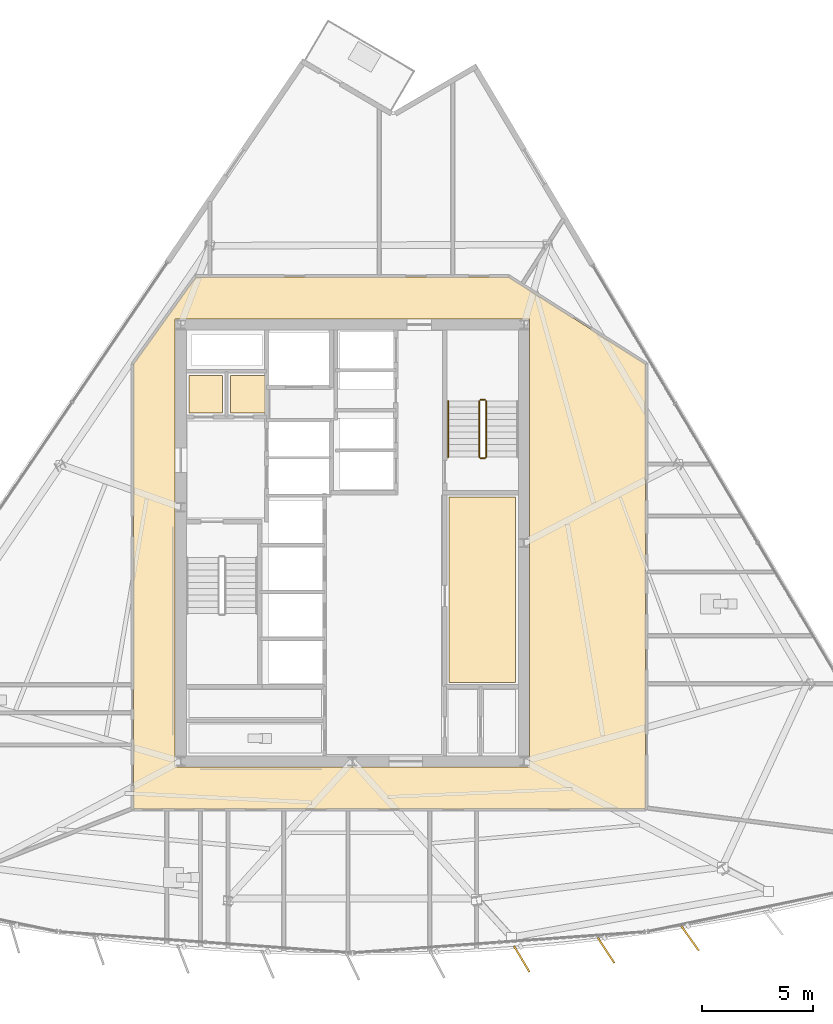
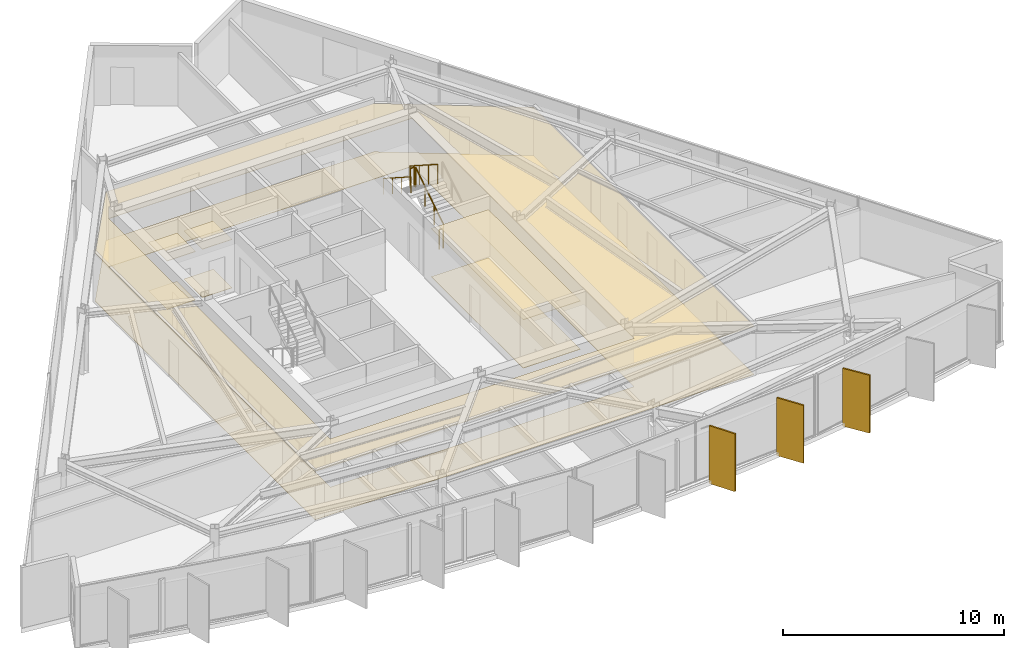
# One storey, part 13 of 15: 8 coverings, 5 railings, 3 shading devices.
"""IFC4 building model written with IfcOpenShell, lengths in metres."""

import ifcopenshell
import ifcopenshell.guid

model = None  # the IFC model being written
_history = None  # IfcOwnerHistory: only IFC2X3 demands one
_inside = {}  # id of a spatial element -> (the spatial element, [elements in it])
_under = {}  # id of a project, library or spatial element -> (it, [spatial elements below it])
_declared = {}  # id of a project -> (the project, [libraries it declares])
_typed = {}  # id of a type object -> (the type object, [elements of that type])
_made_of = {}  # id of a material, layer set ... -> (it, [elements and type objects made of it])


def new_model(schema):
    """Start an empty IFC model of exactly this schema.

    Asked for "IFC4X3", IfcOpenShell would pick the latest addendum, in which some entities
    have other attributes; the version numbers below select the first issue.
    IFC2X3 requires an IfcOwnerHistory on every rooted entity: one is made here for all.
    """
    global model, _history
    if schema == "IFC4X3":
        model = ifcopenshell.file(schema_version=(4, 3, 0, 0))
    else:
        model = ifcopenshell.file(schema=schema)
    _inside.clear()
    _under.clear()
    _declared.clear()
    _typed.clear()
    _made_of.clear()
    _history = None
    if model.schema == "IFC2X3":
        org = make("IfcOrganization", Name="unknown")
        user = make(
            "IfcPersonAndOrganization",
            ThePerson=make("IfcPerson", FamilyName="unknown"),
            TheOrganization=org,
        )
        app = make(
            "IfcApplication",
            ApplicationDeveloper=org,
            Version="unknown",
            ApplicationFullName="unknown",
            ApplicationIdentifier="unknown",
        )
        _history = make(
            "IfcOwnerHistory",
            OwningUser=user,
            OwningApplication=app,
            ChangeAction="ADDED",
            CreationDate=0,
        )
    return model


def make(cls, **values):
    """One entity of the class cls with the attributes given. An attribute that is None is left unset."""
    return model.create_entity(
        cls, **{name: value for name, value in values.items() if value is not None}
    )


def rooted(cls, **values):
    """An entity with a GlobalId (a new one), such as an element, a storey or a relation."""
    return make(cls, GlobalId=ifcopenshell.guid.new(), OwnerHistory=_history, **values)


def si_unit(unit_type, name, prefix=None):
    """IfcSIUnit, for example si_unit("LENGTHUNIT", "METRE", prefix="MILLI")."""
    return make("IfcSIUnit", UnitType=unit_type, Prefix=prefix, Name=name)


def assignment(units):
    """IfcUnitAssignment: the units of a project."""
    return None if units is None else make("IfcUnitAssignment", Units=units)


def point(xyz):
    """IfcCartesianPoint."""
    return None if xyz is None else make("IfcCartesianPoint", Coordinates=xyz)


def direction(xyz):
    """IfcDirection."""
    return None if xyz is None else make("IfcDirection", DirectionRatios=xyz)


def frame(location, z_axis=None, x_axis=None):
    """IfcAxis2Placement3D, a coordinate frame: its origin and axes. An axis left out is left unset."""
    return make(
        "IfcAxis2Placement3D",
        Location=point(location),
        Axis=direction(z_axis),
        RefDirection=direction(x_axis),
    )


def frame_2d(location, x_axis=None):
    """IfcAxis2Placement2D, a coordinate frame in the plane: its origin and x axis."""
    return make(
        "IfcAxis2Placement2D", Location=point(location), RefDirection=direction(x_axis)
    )


def origin():
    """The frame at (0, 0, 0) with its axes left unset."""
    return frame((0.0, 0.0, 0.0))


def origin_2d():
    """The frame at (0, 0) in the plane with its x axis left unset."""
    return frame_2d((0.0, 0.0))


def place(relative_to, where):
    """IfcLocalPlacement: puts the frame where relative to a parent placement (None: the world)."""
    return make(
        "IfcLocalPlacement", PlacementRelTo=relative_to, RelativePlacement=where
    )


def context(
    kind, dimensions, precision=None, world=None, true_north=None, identifier=None
):
    """IfcGeometricRepresentationContext, for example the 3D "Model" context."""
    return make(
        "IfcGeometricRepresentationContext",
        ContextIdentifier=identifier,
        ContextType=kind,
        CoordinateSpaceDimension=dimensions,
        Precision=precision,
        WorldCoordinateSystem=world,
        TrueNorth=true_north,
    )


def subcontext(parent, identifier, kind, view, scale=None):
    """IfcGeometricRepresentationSubContext, for example "Body" below "Model"."""
    return make(
        "IfcGeometricRepresentationSubContext",
        ContextIdentifier=identifier,
        ContextType=kind,
        ParentContext=parent,
        TargetScale=scale,
        TargetView=view,
    )


def project(units=None, contexts=None):
    """IfcProject with its units and contexts."""
    return rooted(
        "IfcProject",
        Name="project",
        RepresentationContexts=contexts,
        UnitsInContext=assignment(units),
    )


def spatial(cls, under=None, at=None, **own):
    """A site, building, storey or space (cls), placed at a placement, below another one or the project."""
    s = rooted(cls, ObjectPlacement=at, **own)
    if under is not None:
        _under.setdefault(under.id(), (under, []))[1].append(s)
    return s


def polyline(points):
    """IfcPolyline through the points."""
    return make("IfcPolyline", Points=[point(p) for p in points])


def profile(cls, at=None, kind="AREA", **sizes):
    """A parametric profile (cls). Its sizes go by their IFC names, for example OverallWidth=200.0."""
    return make(cls, ProfileType=kind, Position=at, **sizes)


def rectangle(**sizes):
    """IfcRectangleProfileDef."""
    return profile("IfcRectangleProfileDef", **sizes)


def circle(**sizes):
    """IfcCircleProfileDef."""
    return profile("IfcCircleProfileDef", **sizes)


def outline(outer, holes=None, kind="AREA"):
    """IfcArbitraryClosedProfileDef: a profile drawn as a closed curve; with holes, ...WithVoids."""
    if holes is None:
        return make("IfcArbitraryClosedProfileDef", ProfileType=kind, OuterCurve=outer)
    return make(
        "IfcArbitraryProfileDefWithVoids",
        ProfileType=kind,
        OuterCurve=outer,
        InnerCurves=holes,
    )


def extrude(swept, where, along, depth):
    """IfcExtrudedAreaSolid: the profile swept, set in the frame where, extruded along a direction by depth."""
    return make(
        "IfcExtrudedAreaSolid",
        SweptArea=swept,
        Position=where,
        ExtrudedDirection=direction(along),
        Depth=depth,
    )


def shape(context_of_items, identifier, shape_type, items):
    """IfcShapeRepresentation: the items that make up one representation, for example the "Body"."""
    return make(
        "IfcShapeRepresentation",
        ContextOfItems=context_of_items,
        RepresentationIdentifier=identifier,
        RepresentationType=shape_type,
        Items=items,
    )


def material(Name=None, Category=None):
    """IfcMaterial."""
    return make("IfcMaterial", Name=Name, Category=Category)


def layer(
    of_material, thickness, ventilated=None, Name=None, Category=None, Priority=None
):
    """IfcMaterialLayer: one layer of a wall or slab, of a material (None: an air gap)."""
    return make(
        "IfcMaterialLayer",
        Material=of_material,
        LayerThickness=thickness,
        IsVentilated=ventilated,
        Name=Name,
        Category=Category,
        Priority=Priority,
    )


def layer_set(layers, Name=None):
    """IfcMaterialLayerSet."""
    return make("IfcMaterialLayerSet", MaterialLayers=layers, LayerSetName=Name)


def made_of(thing, what):
    """Note that an element or type object is made of a material, layer set ...; save() writes the relation."""
    if what is not None:
        _made_of.setdefault(what.id(), (what, []))[1].append(thing)
    return thing


def type_object(cls, material=None, **own):
    """A type object (cls), such as IfcWallType, which elements share."""
    return made_of(rooted(cls, **own), material)


def element(
    cls,
    number,
    at=None,
    inside=None,
    cuts=None,
    type_object=None,
    material=None,
    context=None,
    identifier="Body",
    shape_type=None,
    held_by="IfcProductDefinitionShape",
    body=None,
    shapes=None,
    **own,
):
    """One element of the class cls, such as IfcWall. Its Tag is "e" and its number.

    at: its placement. inside: the storey or other place that contains it. cuts: it is an
    opening in that element (IfcRelVoidsElement). A single representation is given by context,
    identifier, shape_type and body (its items); several are given by shapes. held_by: the class
    of the entity that holds the representations. save() writes the other relations.
    """
    e = rooted(cls, Tag="e%d" % number, ObjectPlacement=at, **own)
    if body is not None:
        shapes = [shape(context, identifier, shape_type, body)]
    if shapes is not None:
        e.Representation = make(held_by, Representations=shapes)
    if inside is not None:
        _inside.setdefault(inside.id(), (inside, []))[1].append(e)
    if cuts is not None:
        rooted(
            "IfcRelVoidsElement", RelatingBuildingElement=cuts, RelatedOpeningElement=e
        )
    if type_object is not None:
        _typed.setdefault(type_object.id(), (type_object, []))[1].append(e)
    return made_of(e, material)


def aggregate(whole, parts):
    """IfcRelAggregates: a whole, such as a stair, and the parts it consists of."""
    return rooted("IfcRelAggregates", RelatingObject=whole, RelatedObjects=parts)


def save(model, path):
    """Write the relations noted so far, then the file.

    IfcRelAggregates (storeys below a building ...), IfcRelContainedInSpatialStructure (elements
    in a storey), IfcRelDefinesByType, IfcRelAssociatesMaterial and IfcRelDeclares: one each for
    every whole, place, type object, material and project.
    """
    for whole, parts in _under.values():
        aggregate(whole, parts)
    for where, things in _inside.values():
        rooted(
            "IfcRelContainedInSpatialStructure",
            RelatedElements=things,
            RelatingStructure=where,
        )
    for kind, things in _typed.values():
        rooted("IfcRelDefinesByType", RelatedObjects=things, RelatingType=kind)
    for what, things in _made_of.values():
        rooted("IfcRelAssociatesMaterial", RelatedObjects=things, RelatingMaterial=what)
    for by, libraries in _declared.values():
        rooted("IfcRelDeclares", RelatingContext=by, RelatedDefinitions=libraries)
    model.write(path)


model = new_model("IFC4")

# Units and contexts
model_context = context("Model", 3, precision=1e-05, world=origin(), true_north=direction((0.0, 1.0)))
body_context = subcontext(model_context, "Body", "Model", "MODEL_VIEW")
ifc_project = project(units=[si_unit("LENGTHUNIT", "METRE"), si_unit("AREAUNIT", "SQUARE_METRE"), si_unit("VOLUMEUNIT", "CUBIC_METRE"), si_unit("PLANEANGLEUNIT", "RADIAN"), si_unit("MASSUNIT", "GRAM", prefix="KILO")], contexts=[model_context])

# Site, building, storey
site_placement = place(None, origin())
site = spatial("IfcSite", under=ifc_project, at=site_placement, CompositionType="ELEMENT")
building_placement = place(site_placement, origin())
building = spatial("IfcBuilding", under=site, at=building_placement, Name="Savorim Split Tower", CompositionType="ELEMENT")
storey_placement = place(building_placement, frame((0.0, 0.0, 212.699951171875)))
storey = spatial("IfcBuildingStorey", under=building, at=storey_placement, Name="L56", CompositionType="ELEMENT", Elevation=212.699951171875)

# Coverings
ifc_material_1 = material(Name="Mineral Fibre Acoustic Ceiling")
ifc_layer_1 = layer(ifc_material_1, 0.02490234375)
ifc_layer_set_1 = layer_set([ifc_layer_1], Name="COV-CEIL-25")
covering_type_1 = type_object("IfcCoveringType", Name="COV-CEIL-25", PredefinedType="CEILING", material=ifc_layer_set_1)
covering_1_placement = place(storey_placement, frame((0.0, 0.0, 2.670166015625)))
element("IfcCovering", 1, at=covering_1_placement, inside=storey, type_object=covering_type_1, Name="L56 Electrical Riser Acoustic Ceiling", PredefinedType="CEILING", context=body_context, shape_type="SweptSolid", body=[
    extrude(outline(polyline([(-7.320068359375, 7.919921875), (-7.320068359375, 6.22998046875), (-5.830078125, 6.22998046875), (-5.830078125, 7.919921875), (-7.320068359375, 7.919921875)])), origin(), (0.0, 0.0, 1.0), 0.02490234375),
])
covering_2_placement = place(storey_placement, frame((0.0, 0.0, 2.670166015625)))
element("IfcCovering", 2, at=covering_2_placement, inside=storey, type_object=covering_type_1, Name="L56 Telecom Riser Acoustic Ceiling", PredefinedType="CEILING", context=body_context, shape_type="SweptSolid", body=[
    extrude(outline(polyline([(-5.469970703125, 7.919921875), (-5.469970703125, 6.22998046875), (-3.929931640625, 6.22998046875), (-3.929931640625, 7.919921875), (-5.469970703125, 7.919921875)])), origin(), (0.0, 0.0, 1.0), 0.02490234375),
])
covering_3_placement = place(storey_placement, frame((0.0, 0.0, 2.670166015625)))
element("IfcCovering", 3, at=covering_3_placement, inside=storey, type_object=covering_type_1, Name="L56 Shared Pantry and Linen Room Acoustic Ceiling", PredefinedType="CEILING", context=body_context, shape_type="SweptSolid", body=[
    extrude(outline(polyline([(4.330078125, 2.469970703125), (4.330078125, -5.8701171875), (7.320068359375, -5.8701171875), (7.320068359375, 2.469970703125), (4.330078125, 2.469970703125)])), origin(), (0.0, 0.0, 1.0), 0.02490234375),
])
covering_4_placement = place(storey_placement, frame((0.0, 0.0, 2.670166015625)))
element("IfcCovering", 4, at=covering_4_placement, inside=storey, type_object=covering_type_1, Name="L56 Corridor Acoustic Ceiling", PredefinedType="CEILING", context=body_context, shape_type="SweptSolid", body=[
    extrude(outline(polyline([(7.009521484375, 12.3291015625), (7.004638671875, 12.329833984375), (7.0, 12.330078125), (-7.0, 12.330078125), (-7.004638671875, 12.329833984375), (-7.009521484375, 12.3291015625), (-7.013916015625, 12.327880859375), (-7.0185546875, 12.326416015625), (-7.022705078125, 12.324462890625), (-7.027099609375, 12.322021484375), (-7.03076171875, 12.3193359375), (-7.034423828125, 12.31640625), (-7.03759765625, 12.312744140625), (-7.04052734375, 12.30908203125), (-9.820556640625, 8.42919921875), (-9.823486328125, 8.4248046875), (-9.82568359375, 8.420166015625), (-9.82763671875, 8.415283203125), (-9.828857421875, 8.410400390625), (-9.82958984375, 8.4052734375), (-9.830078125, 8.39990234375), (-9.830078125, -11.47998046875), (-9.829833984375, -11.48486328125), (-9.8291015625, -11.48974609375), (-9.827880859375, -11.494384765625), (-9.826171875, -11.4990234375), (-9.82421875, -11.503662109375), (-9.821533203125, -11.5078125), (-9.818603515625, -11.51171875), (-9.8154296875, -11.515380859375), (-9.811767578125, -11.518798828125), (-9.807861328125, -11.521484375), (-9.8037109375, -11.524169921875), (-9.799072265625, -11.526123046875), (-9.79443359375, -11.52783203125), (-9.789794921875, -11.529052734375), (-9.784912109375, -11.52978515625), (-9.780029296875, -11.530029296875), (13.10009765625, -11.530029296875), (13.10498046875, -11.52978515625), (13.10986328125, -11.529052734375), (13.114501953125, -11.52783203125), (13.119140625, -11.526123046875), (13.12353515625, -11.524169921875), (13.127685546875, -11.521484375), (13.131591796875, -11.518798828125), (13.135498046875, -11.515380859375), (13.138671875, -11.51171875), (13.1416015625, -11.5078125), (13.14404296875, -11.503662109375), (13.146240234375, -11.4990234375), (13.147705078125, -11.494384765625), (13.14892578125, -11.48974609375), (13.14990234375, -11.48486328125), (13.14990234375, -11.47998046875), (13.14990234375, 8.39990234375), (13.149658203125, 8.405029296875), (13.14892578125, 8.409912109375), (13.147705078125, 8.414794921875), (13.14599609375, 8.41943359375), (13.143798828125, 8.424072265625), (13.14111328125, 8.42822265625), (13.13818359375, 8.432373046875), (13.134765625, 8.43603515625), (13.130859375, 8.439208984375), (13.126708984375, 8.442138671875), (7.02685546875, 12.322265625), (7.022705078125, 12.324462890625), (7.018310546875, 12.326416015625), (7.013916015625, 12.327880859375), (7.009521484375, 12.3291015625)]), holes=[polyline([(-7.949951171875, 10.449951171875), (-7.949951171875, -9.64990234375), (7.949951171875, -9.64990234375), (7.949951171875, 10.449951171875), (-7.949951171875, 10.449951171875)])]), origin(), (0.0, 0.0, 1.0), 0.02490234375),
])
ifc_material_2 = material(Name="Porcelain Stoneware Flooring", Category="masonry")
ifc_layer_2 = layer(ifc_material_2, 0.02001953125)
ifc_layer_set_2 = layer_set([ifc_layer_2], Name="COV-FLOR-20")
covering_type_2 = type_object("IfcCoveringType", Name="COV-FLOR-20", PredefinedType="FLOORING", material=ifc_layer_set_2)
covering_5_placement = place(storey_placement, origin())
element("IfcCovering", 5, at=covering_5_placement, inside=storey, type_object=covering_type_2, Name="L56 Electrical Riser Porcelain Flooring", PredefinedType="FLOORING", context=body_context, shape_type="SweptSolid", body=[
    extrude(outline(polyline([(-7.320068359375, 7.919921875), (-7.320068359375, 6.22998046875), (-5.830078125, 6.22998046875), (-5.830078125, 7.919921875), (-7.320068359375, 7.919921875)])), origin(), (0.0, 0.0, 1.0), 0.02001953125),
])
covering_6_placement = place(storey_placement, origin())
element("IfcCovering", 6, at=covering_6_placement, inside=storey, type_object=covering_type_2, Name="L56 Telecom Riser Porcelain Flooring", PredefinedType="FLOORING", context=body_context, shape_type="SweptSolid", body=[
    extrude(outline(polyline([(-5.469970703125, 7.919921875), (-5.469970703125, 6.22998046875), (-3.929931640625, 6.22998046875), (-3.929931640625, 7.919921875), (-5.469970703125, 7.919921875)])), origin(), (0.0, 0.0, 1.0), 0.02001953125),
])
covering_7_placement = place(storey_placement, origin())
element("IfcCovering", 7, at=covering_7_placement, inside=storey, type_object=covering_type_2, Name="L56 Shared Pantry and Linen Room Porcelain Flooring", PredefinedType="FLOORING", context=body_context, shape_type="SweptSolid", body=[
    extrude(outline(polyline([(4.330078125, 2.469970703125), (4.330078125, -5.8701171875), (7.320068359375, -5.8701171875), (7.320068359375, 2.469970703125), (4.330078125, 2.469970703125)])), origin(), (0.0, 0.0, 1.0), 0.02001953125),
])
covering_8_placement = place(storey_placement, origin())
element("IfcCovering", 8, at=covering_8_placement, inside=storey, type_object=covering_type_2, Name="L56 Corridor Porcelain Flooring", PredefinedType="FLOORING", context=body_context, shape_type="SweptSolid", body=[
    extrude(outline(polyline([(7.009521484375, 12.3291015625), (7.004638671875, 12.329833984375), (7.0, 12.330078125), (-7.0, 12.330078125), (-7.004638671875, 12.329833984375), (-7.009521484375, 12.3291015625), (-7.013916015625, 12.327880859375), (-7.0185546875, 12.326416015625), (-7.022705078125, 12.324462890625), (-7.027099609375, 12.322021484375), (-7.03076171875, 12.3193359375), (-7.034423828125, 12.31640625), (-7.03759765625, 12.312744140625), (-7.04052734375, 12.30908203125), (-9.820556640625, 8.42919921875), (-9.823486328125, 8.4248046875), (-9.82568359375, 8.420166015625), (-9.82763671875, 8.415283203125), (-9.828857421875, 8.410400390625), (-9.82958984375, 8.4052734375), (-9.830078125, 8.39990234375), (-9.830078125, -11.47998046875), (-9.829833984375, -11.48486328125), (-9.8291015625, -11.48974609375), (-9.827880859375, -11.494384765625), (-9.826171875, -11.4990234375), (-9.82421875, -11.503662109375), (-9.821533203125, -11.5078125), (-9.818603515625, -11.51171875), (-9.8154296875, -11.515380859375), (-9.811767578125, -11.518798828125), (-9.807861328125, -11.521484375), (-9.8037109375, -11.524169921875), (-9.799072265625, -11.526123046875), (-9.79443359375, -11.52783203125), (-9.789794921875, -11.529052734375), (-9.784912109375, -11.52978515625), (-9.780029296875, -11.530029296875), (13.10009765625, -11.530029296875), (13.10498046875, -11.52978515625), (13.10986328125, -11.529052734375), (13.114501953125, -11.52783203125), (13.119140625, -11.526123046875), (13.12353515625, -11.524169921875), (13.127685546875, -11.521484375), (13.131591796875, -11.518798828125), (13.135498046875, -11.515380859375), (13.138671875, -11.51171875), (13.1416015625, -11.5078125), (13.14404296875, -11.503662109375), (13.146240234375, -11.4990234375), (13.147705078125, -11.494384765625), (13.14892578125, -11.48974609375), (13.14990234375, -11.48486328125), (13.14990234375, -11.47998046875), (13.14990234375, 8.39990234375), (13.149658203125, 8.405029296875), (13.14892578125, 8.409912109375), (13.147705078125, 8.414794921875), (13.14599609375, 8.41943359375), (13.143798828125, 8.424072265625), (13.14111328125, 8.42822265625), (13.13818359375, 8.432373046875), (13.134765625, 8.43603515625), (13.130859375, 8.439208984375), (13.126708984375, 8.442138671875), (7.02685546875, 12.322265625), (7.022705078125, 12.324462890625), (7.018310546875, 12.326416015625), (7.013916015625, 12.327880859375), (7.009521484375, 12.3291015625)]), holes=[polyline([(-7.949951171875, 10.449951171875), (-7.949951171875, -9.64990234375), (7.949951171875, -9.64990234375), (7.949951171875, 10.449951171875), (-7.949951171875, 10.449951171875)])]), origin(), (0.0, 0.0, 1.0), 0.02001953125),
])

# Railings
ifc_material_3 = material(Name="Galvanised Painted Steel Balustrade", Category="steel")
railing_type_1 = type_object("IfcRailingType", Name="RLG-HR-900", PredefinedType="HANDRAIL", material=ifc_material_3)
railing_1_placement = place(storey_placement, frame((4.300048828125, 6.77001953125, 1.97998046875)))
element("IfcRailing", 9, at=railing_1_placement, inside=storey, type_object=railing_type_1, Name="L56 ST-2 stair handrail 2", PredefinedType="HANDRAIL", context=body_context, shape_type="SweptSolid", body=[
    extrude(circle(Radius=0.02392578125, at=origin_2d()), frame((0.0, 0.0, 0.8759765625), z_axis=(0.0, -0.841162588446, 0.540782303519), x_axis=(1.0, 0.0, 0.0)), (0.0, 0.0, 1.0), 2.995849609375),
    extrude(circle(Radius=0.02099609375, at=origin_2d()), origin(), (0.0, 0.0, 1.0), 0.851806640625),
    extrude(circle(Radius=0.02099609375, at=origin_2d()), frame((0.0, -0.840087890625, 0.5400390625)), (0.0, 0.0, 1.0), 0.851806640625),
    extrude(circle(Radius=0.02099609375, at=origin_2d()), frame((0.0, -1.679931640625, 1.080078125)), (0.0, 0.0, 1.0), 0.851806640625),
    extrude(circle(Radius=0.02099609375, at=origin_2d()), frame((0.0, -2.52001953125, 1.6201171875)), (0.0, 0.0, 1.0), 0.851806640625),
])
railing_type_2 = type_object("IfcRailingType", Name="RLG-STG-1100", PredefinedType="BALUSTRADE", material=ifc_material_3)
railing_2_placement = place(storey_placement, frame((6.0, 4.25, 0.179931640625)))
element("IfcRailing", 10, at=railing_2_placement, inside=storey, type_object=railing_type_2, Name="L56 ST-2 stair guard 1", PredefinedType="BALUSTRADE", context=body_context, shape_type="SweptSolid", body=[
    extrude(circle(Radius=0.02392578125, at=origin_2d()), frame((0.0, 0.0, 1.076171875), z_axis=(0.0, 0.841162588446, 0.540782303519), x_axis=(-1.0, 0.0, 0.0)), (0.0, 0.0, 1.0), 2.995849609375),
    extrude(circle(Radius=0.02099609375, at=origin_2d()), origin(), (0.0, 0.0, 1.0), 1.052001953125),
    extrude(circle(Radius=0.02099609375, at=origin_2d()), frame((0.0, 0.840087890625, 0.5400390625)), (0.0, 0.0, 1.0), 1.052001953125),
    extrude(circle(Radius=0.02099609375, at=origin_2d()), frame((0.0, 1.679931640625, 1.080078125)), (0.0, 0.0, 1.0), 1.052001953125),
    extrude(circle(Radius=0.02099609375, at=origin_2d()), frame((0.0, 2.52001953125, 1.6201171875)), (0.0, 0.0, 1.0), 1.052001953125),
])
railing_3_placement = place(storey_placement, frame((5.949951171875, 6.820068359375, 1.800048828125)))
element("IfcRailing", 11, at=railing_3_placement, inside=storey, type_object=railing_type_2, Name="L56 ST-2 stair guard 2", PredefinedType="BALUSTRADE", context=body_context, shape_type="SweptSolid", body=[
    extrude(circle(Radius=0.02392578125, at=origin_2d()), frame((0.0, 0.0, 1.076171875), z_axis=(-1.0, 0.0, 0.0), x_axis=(0.0, -1.0, 0.0)), (0.0, 0.0, 1.0), 0.199951171875),
    extrude(circle(Radius=0.02099609375, at=origin_2d()), origin(), (0.0, 0.0, 1.0), 1.052001953125),
    extrude(circle(Radius=0.02099609375, at=origin_2d()), frame((-0.199951171875, 0.0, 0.0)), (0.0, 0.0, 1.0), 1.052001953125),
])
railing_4_placement = place(storey_placement, frame((5.699951171875, 6.77001953125, 1.97998046875)))
element("IfcRailing", 12, at=railing_4_placement, inside=storey, type_object=railing_type_2, Name="L56 ST-2 stair guard 3", PredefinedType="BALUSTRADE", context=body_context, shape_type="SweptSolid", body=[
    extrude(circle(Radius=0.02392578125, at=origin_2d()), frame((0.0, 0.0, 1.076171875), z_axis=(0.0, -0.841162588446, 0.540782303519), x_axis=(1.0, 0.0, 0.0)), (0.0, 0.0, 1.0), 2.995849609375),
    extrude(circle(Radius=0.02099609375, at=origin_2d()), origin(), (0.0, 0.0, 1.0), 1.052001953125),
    extrude(circle(Radius=0.02099609375, at=origin_2d()), frame((0.0, -0.840087890625, 0.5400390625)), (0.0, 0.0, 1.0), 1.052001953125),
    extrude(circle(Radius=0.02099609375, at=origin_2d()), frame((0.0, -1.679931640625, 1.080078125)), (0.0, 0.0, 1.0), 1.052001953125),
    extrude(circle(Radius=0.02099609375, at=origin_2d()), frame((0.0, -2.52001953125, 1.6201171875)), (0.0, 0.0, 1.0), 1.052001953125),
])
railing_5_placement = place(storey_placement, frame((5.949951171875, 4.199951171875, 0.0)))
element("IfcRailing", 13, at=railing_5_placement, inside=storey, type_object=railing_type_2, Name="L56 ST-2 stair guard 4", PredefinedType="BALUSTRADE", context=body_context, shape_type="SweptSolid", body=[
    extrude(circle(Radius=0.02392578125, at=origin_2d()), frame((0.0, 0.0, 1.076171875), z_axis=(-1.0, 0.0, 0.0), x_axis=(0.0, -1.0, 0.0)), (0.0, 0.0, 1.0), 0.199951171875),
    extrude(circle(Radius=0.02099609375, at=origin_2d()), origin(), (0.0, 0.0, 1.0), 1.052001953125),
    extrude(circle(Radius=0.02099609375, at=origin_2d()), frame((-0.199951171875, 0.0, 0.0)), (0.0, 0.0, 1.0), 1.052001953125),
])

# Shading devices
ifc_material_4 = material(Name="Terracotta Ceramic-Coated Aluminium Fin", Category="masonry")
shading_device_type = type_object("IfcShadingDeviceType", Name="SHD-FIN-1360", PredefinedType="USERDEFINED", material=ifc_material_4)
for number, where, z_axis, x_axis, name in (
    (14, (7.599609375, -18.26708984375, -0.19970703125), (0.0, 0.0, 1.0), (0.510391336723, -0.859942255851, 0.0), "L56 Sawtooth Shading Fin 09"),
    (15, (11.38330078125, -17.878662109375, -0.19970703125), (0.0, 0.0, 1.0), (0.545148321708, -0.838339613366, 0.0), "L56 Sawtooth Shading Fin 10"),
    (16, (15.148193359375, -17.335693359375, -0.19970703125), (0.0, 0.0, 1.0), (0.578993757737, -0.815331974414, 0.0), "L56 Sawtooth Shading Fin 11"),
):
    element("IfcShadingDevice", number, at=place(storey_placement, frame(where, z_axis=z_axis, x_axis=x_axis)), inside=storey, type_object=shading_device_type, Name=name, ObjectType="FIN", PredefinedType="USERDEFINED", context=body_context, shape_type="SweptSolid", body=[
        extrude(rectangle(XDim=1.360107421875, YDim=0.080078125, at=origin_2d()), origin(), (0.0, 0.0, 1.0), 3.199951171875),
    ])

save(model, "model.ifc")
